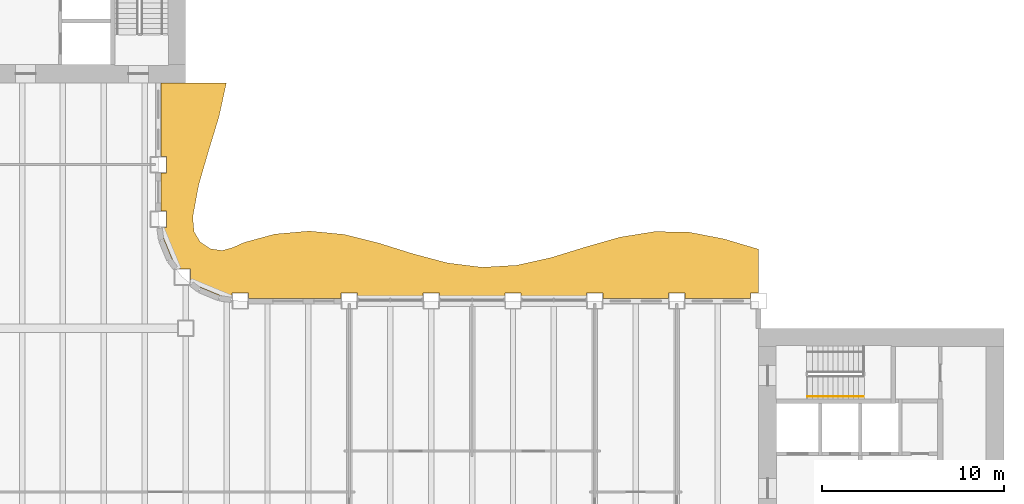
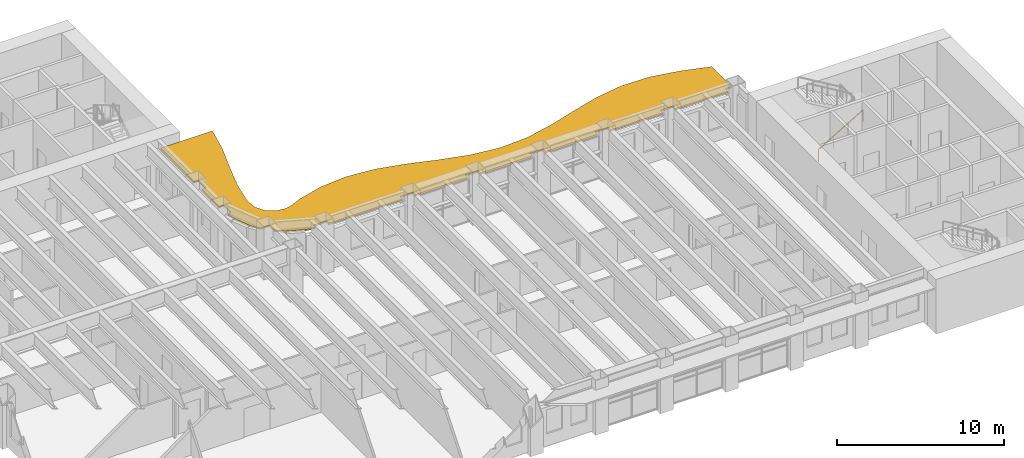
# One storey, part 15 of 17: 1 railing, 1 shading device.
"""IFC4 building model written with IfcOpenShell, lengths in metres."""

from ifc_helpers import new_model, si_unit, direction, frame, origin, origin_2d, place, context, subcontext, project, spatial, polyline, rectangle, outline, extrude, material, layer, layer_set, type_object, element, save


model = new_model("IFC4")

# Units and contexts
model_context = context("Model", 3, precision=1e-05, world=origin(), true_north=direction((0.0, 1.0)))
body_context = subcontext(model_context, "Body", "Model", "MODEL_VIEW")
ifc_project = project(units=[si_unit("LENGTHUNIT", "METRE"), si_unit("AREAUNIT", "SQUARE_METRE"), si_unit("VOLUMEUNIT", "CUBIC_METRE"), si_unit("PLANEANGLEUNIT", "RADIAN"), si_unit("MASSUNIT", "GRAM", prefix="KILO")], contexts=[model_context])

# Site, building, storey
site_placement = place(None, origin())
site = spatial("IfcSite", under=ifc_project, at=site_placement, CompositionType="ELEMENT")
building_placement = place(site_placement, origin())
building = spatial("IfcBuilding", under=site, at=building_placement, Name="Sennacour Bend Tower", CompositionType="ELEMENT")
storey_placement = place(building_placement, frame((0.0, 0.0, 155.0)))
storey = spatial("IfcBuildingStorey", under=building, at=storey_placement, Name="L35", CompositionType="ELEMENT", Elevation=155.0)

# Railing
ifc_material_1 = material(Name="Stainless steel", Category="steel")
railing_type = type_object("IfcRailingType", Name="RL-HANDRAIL-900", PredefinedType="HANDRAIL", material=ifc_material_1)
railing_placement = place(storey_placement, frame((56.699951171875, 18.75, 0.166748046875)))
element("IfcRailing", 1, at=railing_placement, inside=storey, type_object=railing_type, Name="L35 SA2 stair handrail 1", PredefinedType="HANDRAIL", context=body_context, shape_type="SweptSolid", body=[
    extrude(rectangle(XDim=0.048095703125, YDim=0.048095703125, at=origin_2d()), frame((0.0, 0.0, 0.8759765625), z_axis=(0.859308565015, 0.0, 0.511457515432), x_axis=(0.0, 1.0, 0.0)), (0.0, 0.0, 1.0), 3.58447265625),
    extrude(rectangle(XDim=0.0419921875, YDim=0.0419921875, at=origin_2d()), origin(), (0.0, 0.0, 1.0), 0.851806640625),
    extrude(rectangle(XDim=0.0419921875, YDim=0.0419921875, at=origin_2d()), frame((1.026611328125, 0.0, 0.611083984375)), (0.0, 0.0, 1.0), 0.851806640625),
    extrude(rectangle(XDim=0.0419921875, YDim=0.0419921875, at=origin_2d()), frame((2.053466796875, 0.0, 1.22216796875)), (0.0, 0.0, 1.0), 0.851806640625),
    extrude(rectangle(XDim=0.0419921875, YDim=0.0419921875, at=origin_2d()), frame((3.080078125, 0.0, 1.833251953125)), (0.0, 0.0, 1.0), 0.851806640625),
])

# Shading device
ifc_material_2 = material(Name="Bronze anodised aluminium", Category="aluminium")
ifc_layer = layer(ifc_material_2, 0.1201171875, Name="Bronze anodised aluminium", Category="aluminium")
ifc_layer_set = layer_set([ifc_layer], Name="Bronze anodised aluminium")
shading_device_type = type_object("IfcShadingDeviceType", Name="SUNSHADE BAND WAVE", PredefinedType="USERDEFINED", material=ifc_layer_set)
shading_device_placement = place(storey_placement, frame((0.0, 0.0, 3.029052734375)))
element("IfcShadingDevice", 2, at=shading_device_placement, inside=storey, type_object=shading_device_type, Name="Sunshade band L35 concave faces", ObjectType="SUNSHADE", PredefinedType="USERDEFINED", context=body_context, shape_type="SweptSolid", body=[
    extrude(outline(polyline([(53.550048828125, 24.14990234375), (49.949951171875, 24.14990234375), (49.949951171875, 24.449951171875), (49.050048828125, 24.449951171875), (49.050048828125, 24.14990234375), (45.449951171875, 24.14990234375), (45.449951171875, 24.449951171875), (44.550048828125, 24.449951171875), (44.550048828125, 24.14990234375), (40.949951171875, 24.14990234375), (40.949951171875, 24.449951171875), (40.050048828125, 24.449951171875), (40.050048828125, 24.14990234375), (36.449951171875, 24.14990234375), (36.449951171875, 24.449951171875), (35.550048828125, 24.449951171875), (35.550048828125, 24.14990234375), (31.949951171875, 24.14990234375), (31.949951171875, 24.449951171875), (31.050048828125, 24.449951171875), (31.050048828125, 24.14990234375), (25.949951171875, 24.14990234375), (25.949951171875, 24.449951171875), (25.050048828125, 24.449951171875), (25.050048828125, 24.21044921875), (24.37451171875, 24.299560546875), (23.32568359375, 24.73388671875), (22.76806640625, 25.16162109375), (22.76806640625, 25.76806640625), (22.16162109375, 25.76806640625), (21.73388671875, 26.32568359375), (21.299560546875, 27.37451171875), (21.21044921875, 28.050048828125), (21.449951171875, 28.050048828125), (21.449951171875, 28.949951171875), (21.14990234375, 28.949951171875), (21.14990234375, 31.050048828125), (21.449951171875, 31.050048828125), (21.449951171875, 31.949951171875), (21.14990234375, 31.949951171875), (21.14990234375, 36.0), (24.738525390625, 36.0), (24.328857421875, 34.125), (23.75439453125, 32.25), (23.212890625, 30.375), (22.890380859375, 28.623779296875), (22.95947265625, 27.8193359375), (23.309814453125, 27.235595703125), (23.87109375, 26.87109375), (24.50732421875, 26.78076171875), (25.081298828125, 26.937744140625), (25.711181640625, 27.2216796875), (27.39990234375, 27.6826171875), (29.300048828125, 27.849853515625), (31.199951171875, 27.66455078125), (33.10009765625, 27.19189453125), (35.0, 26.598876953125), (36.89990234375, 26.09423828125), (38.800048828125, 25.856201171875), (40.699951171875, 25.968505859375), (42.60009765625, 26.391845703125), (44.5, 26.9765625), (46.39990234375, 27.516845703125), (48.300048828125, 27.82177734375), (50.199951171875, 27.7841796875), (52.10009765625, 27.4169921875), (54.0, 26.85009765625), (54.0, 24.449951171875), (53.550048828125, 24.449951171875), (53.550048828125, 24.14990234375)])), origin(), (0.0, 0.0, 1.0), 0.119873046875),
])

save(model, "model.ifc")
